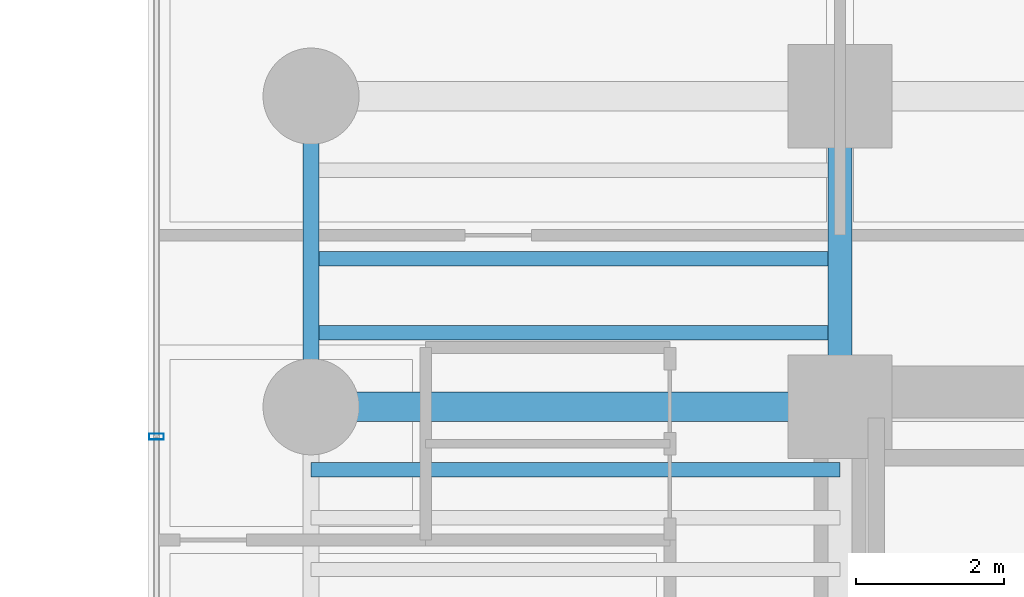
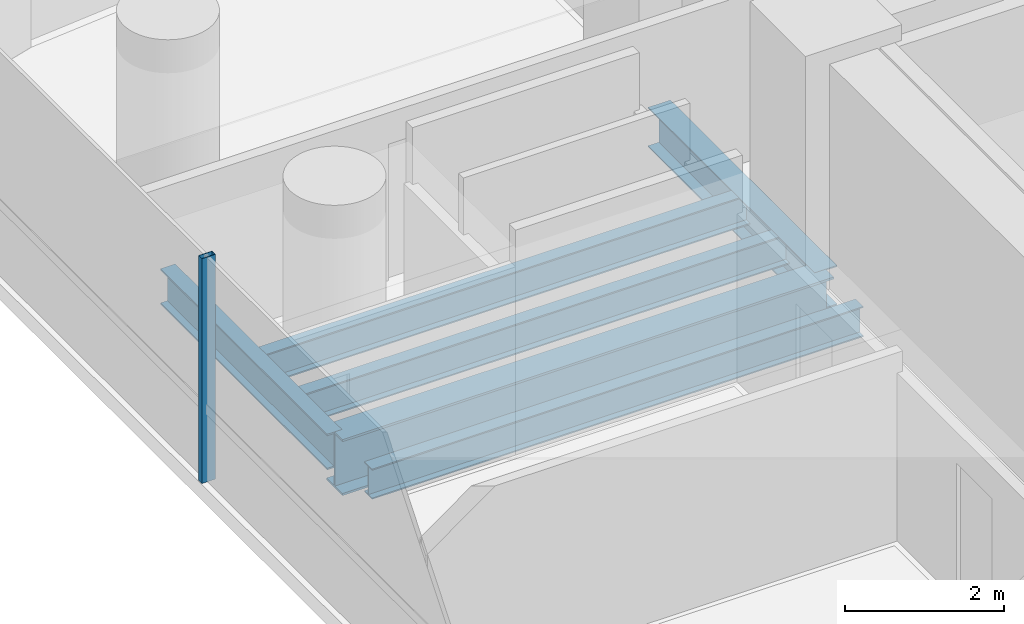
# One storey, part 10 of 39: 6 beams, 1 member, 1 element without a shape of its own.
"""IFC4 building model written with IfcOpenShell, lengths in metres."""

from ifc_helpers import new_model, si_unit, direction, frame, origin, origin_2d, place, context, subcontext, project, spatial, hollow_rectangle, i_section, extrude, source, transform, mapped, material, material_profile, profile_set, type_object, element, aggregate, save


model = new_model("IFC4")

# Units and contexts
model_context = context("Model", 3, precision=1e-05, world=origin(), true_north=direction((0.0, 1.0)))
body_context = subcontext(model_context, "Body", "Model", "MODEL_VIEW")
ifc_project = project(units=[si_unit("LENGTHUNIT", "METRE"), si_unit("AREAUNIT", "SQUARE_METRE"), si_unit("VOLUMEUNIT", "CUBIC_METRE"), si_unit("PLANEANGLEUNIT", "RADIAN"), si_unit("MASSUNIT", "GRAM", prefix="KILO")], contexts=[model_context])

# Site, building, storey
site_placement = place(None, origin())
site = spatial("IfcSite", under=ifc_project, at=site_placement, CompositionType="ELEMENT")
building_placement = place(site_placement, origin())
building = spatial("IfcBuilding", under=site, at=building_placement, Name="Valdorenza Pilgrim Sanctuary Tower", CompositionType="ELEMENT")
storey_placement = place(building_placement, frame((0.0, 0.0, 33.39990234375)))
storey = spatial("IfcBuildingStorey", under=building, at=storey_placement, Name="L07", CompositionType="ELEMENT", Elevation=33.39990234375)

# Beams
ifc_material_1 = material(Name="Steel ASTM A992 Grade 50", Category="steel")
ifc_material_profile_1 = material_profile(ifc_material_1, i_section(OverallWidth=0.214111328125, OverallDepth=0.549072265625, WebThickness=0.0146484375, FlangeThickness=0.023681640625, at=origin_2d()), Name="W21X93")
ifc_profile_set_1 = profile_set([ifc_material_profile_1], Name="Steel ASTM A992 Grade 50")
beam_type_1 = type_object("IfcBeamType", Name="STR-BM-SPN-W21A", PredefinedType="SPANDREL", material=ifc_profile_set_1)
shared_shape_1 = source(origin(), body_context, "Body", "SweptSolid", [
    extrude(i_section(OverallWidth=0.214111328125, OverallDepth=0.549072265625, WebThickness=0.0146484375, FlangeThickness=0.023681640625, at=origin_2d()), origin(), (0.0, 0.0, 1.0), 4.199951171875),
])
beam_1_placement = place(storey_placement, frame((-29.800048828125, 10.60009765625, -0.514404296875), z_axis=(0.0, 1.0, 0.0), x_axis=(-1.0, 0.0, 0.0)))
element("IfcBeam", 1, at=beam_1_placement, inside=storey, type_object=beam_type_1, Name="L07 Spandrel Beam WA-W-N1N2", PredefinedType="SPANDREL", context=body_context, shape_type="MappedRepresentation", body=[
    mapped(shared_shape_1, transform((0.0, 0.0, 0.0), x_axis=(1.0, 0.0, 0.0), y_axis=(0.0, 1.0, 0.0), z_axis=(0.0, 0.0, 1.0), scale=1.0)),
])
ifc_material_profile_2 = material_profile(ifc_material_1, i_section(OverallWidth=0.323974609375, OverallDepth=0.611083984375, WebThickness=0.0126953125, FlangeThickness=0.01904296875, at=origin_2d()), Name="W24X104")
ifc_profile_set_2 = profile_set([ifc_material_profile_2], Name="Steel ASTM A992 Grade 50")
beam_type_2 = type_object("IfcBeamType", Name="STR-BM-GRD-W24B", PredefinedType="BEAM", material=ifc_profile_set_2)
shared_shape_2 = source(origin(), body_context, "Body", "SweptSolid", [
    extrude(i_section(OverallWidth=0.323974609375, OverallDepth=0.611083984375, WebThickness=0.0126953125, FlangeThickness=0.01904296875, at=origin_2d()), origin(), (0.0, 0.0, 1.0), 4.199951171875),
])
beam_2_placement = place(storey_placement, frame((-22.64990234375, 10.60009765625, -0.54541015625), z_axis=(0.0, 1.0, 0.0), x_axis=(-1.0, 0.0, 0.0)))
element("IfcBeam", 2, at=beam_2_placement, inside=storey, type_object=beam_type_2, Name="L07 Core Tie Girder CA-W-N1N2", PredefinedType="BEAM", context=body_context, shape_type="MappedRepresentation", body=[
    mapped(shared_shape_2, transform((0.0, 0.0, 0.0), x_axis=(1.0, 0.0, 0.0), y_axis=(0.0, 1.0, 0.0), z_axis=(0.0, 0.0, 1.0), scale=1.0)),
])
ifc_material_profile_3 = material_profile(ifc_material_1, i_section(OverallWidth=0.193115234375, OverallDepth=0.466064453125, WebThickness=0.011474609375, FlangeThickness=0.01904296875, at=origin_2d()), Name="W18X65")
ifc_profile_set_3 = profile_set([ifc_material_profile_3], Name="Steel ASTM A992 Grade 50")
beam_type_3 = type_object("IfcBeamType", Name="STR-BM-JST-W18A", PredefinedType="JOIST", material=ifc_profile_set_3)
shared_shape_3 = source(origin(), body_context, "Body", "SweptSolid", [
    extrude(i_section(OverallWidth=0.193115234375, OverallDepth=0.466064453125, WebThickness=0.011474609375, FlangeThickness=0.01904296875, at=origin_2d()), origin(), (0.0, 0.0, 1.0), 7.150146484375),
])
for number, where, z_axis, x_axis, name in (
    (3, (-29.800048828125, 9.75, -0.472900390625), (1.0, 0.0, 0.0), (0.0, 1.0, 0.0), "L07 Composite Floor Joist JST-WA-23"),
    (4, (-29.800048828125, 11.60009765625, -0.472900390625), (1.0, 0.0, 0.0), (0.0, 1.0, 0.0), "L07 Composite Floor Joist JST-WA-24"),
    (5, (-29.800048828125, 12.60009765625, -0.472900390625), (1.0, 0.0, 0.0), (0.0, 1.0, 0.0), "L07 Composite Floor Joist JST-WA-25"),
):
    element("IfcBeam", number, at=place(storey_placement, frame(where, z_axis=z_axis, x_axis=x_axis)), inside=storey, type_object=beam_type_3, Name=name, PredefinedType="JOIST", context=body_context, shape_type="MappedRepresentation", body=[
        mapped(shared_shape_3, transform((0.0, 0.0, 0.0), x_axis=(1.0, 0.0, 0.0), y_axis=(0.0, 1.0, 0.0), z_axis=(0.0, 0.0, 1.0), scale=1.0)),
    ])
ifc_material_profile_4 = material_profile(ifc_material_1, i_section(OverallWidth=0.39990234375, OverallDepth=0.862060546875, WebThickness=0.019775390625, FlangeThickness=0.032470703125, at=origin_2d()), Name="W33X221")
ifc_profile_set_4 = profile_set([ifc_material_profile_4], Name="Steel ASTM A992 Grade 50")
beam_type_4 = type_object("IfcBeamType", Name="STR-BM-GRD-W33", PredefinedType="BEAM", material=ifc_profile_set_4)
shared_shape_4 = source(origin(), body_context, "Body", "SweptSolid", [
    extrude(i_section(OverallWidth=0.39990234375, OverallDepth=0.862060546875, WebThickness=0.019775390625, FlangeThickness=0.032470703125, at=origin_2d()), origin(), (0.0, 0.0, 1.0), 7.150146484375),
])
beam_3_placement = place(storey_placement, frame((-29.800048828125, 10.60009765625, -0.6708984375), z_axis=(1.0, 0.0, 0.0), x_axis=(0.0, 1.0, 0.0)))
element("IfcBeam", 6, at=beam_3_placement, inside=storey, type_object=beam_type_4, Name="L07 Floor Girder WA-XW-N1", PredefinedType="BEAM", context=body_context, shape_type="MappedRepresentation", body=[
    mapped(shared_shape_4, transform((0.0, 0.0, 0.0), x_axis=(1.0, 0.0, 0.0), y_axis=(0.0, 1.0, 0.0), z_axis=(0.0, 0.0, 1.0), scale=1.0)),
])

# Curtain wall, member
ifc_material_2 = material(Name="Curtain-wall IGU glazing", Category="glass")
curtain_wall_type = type_object("IfcCurtainWallType", Name="CW-SYS-02", PredefinedType="NOTDEFINED", material=ifc_material_2)
curtain_wall_placement = place(storey_placement, origin())
curtain_wall = element("IfcCurtainWall", 7, at=curtain_wall_placement, inside=storey, type_object=curtain_wall_type, Name="L07 Curtain Wall CW-L07-1-1S2", PredefinedType="NOTDEFINED")
ifc_material_3 = material(Name="Anodised aluminium AW-6060", Category="aluminium")
ifc_material_profile_5 = material_profile(ifc_material_3, hollow_rectangle(XDim=0.0849609375, YDim=0.199951171875, WallThickness=0.0048828125, at=origin_2d()), Name="ALU-M 200x85x5")
ifc_profile_set_5 = profile_set([ifc_material_profile_5], Name="Anodised aluminium AW-6060")
member_type = type_object("IfcMemberType", Name="CW-MUL-02", PredefinedType="MULLION", material=ifc_profile_set_5)
shared_shape_5 = source(origin(), body_context, "Body", "SweptSolid", [
    extrude(hollow_rectangle(XDim=0.0849609375, YDim=0.199951171875, WallThickness=0.0048828125, at=origin_2d()), origin(), (0.0, 0.0, 1.0), 3.460205078125),
])
member_placement = place(storey_placement, frame((-31.889892578125, 10.19580078125, 0.0), z_axis=(0.0, 0.0, 1.0), x_axis=(0.0, 1.0, 0.0)))
member = element("IfcMember", 8, at=member_placement, type_object=member_type, Name="CW-L07-1-1S2 Mullion 3", PredefinedType="MULLION", context=body_context, shape_type="MappedRepresentation", body=[
    mapped(shared_shape_5, transform((0.0, 0.0, 0.0), x_axis=(1.0, 0.0, 0.0), y_axis=(0.0, 1.0, 0.0), z_axis=(0.0, 0.0, 1.0), scale=1.0)),
])
aggregate(curtain_wall, [member])

save(model, "model.ifc")
